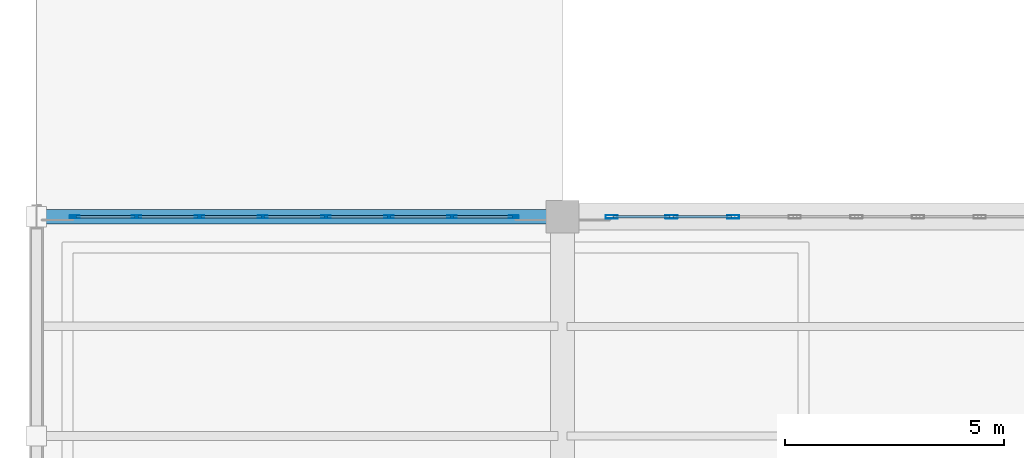
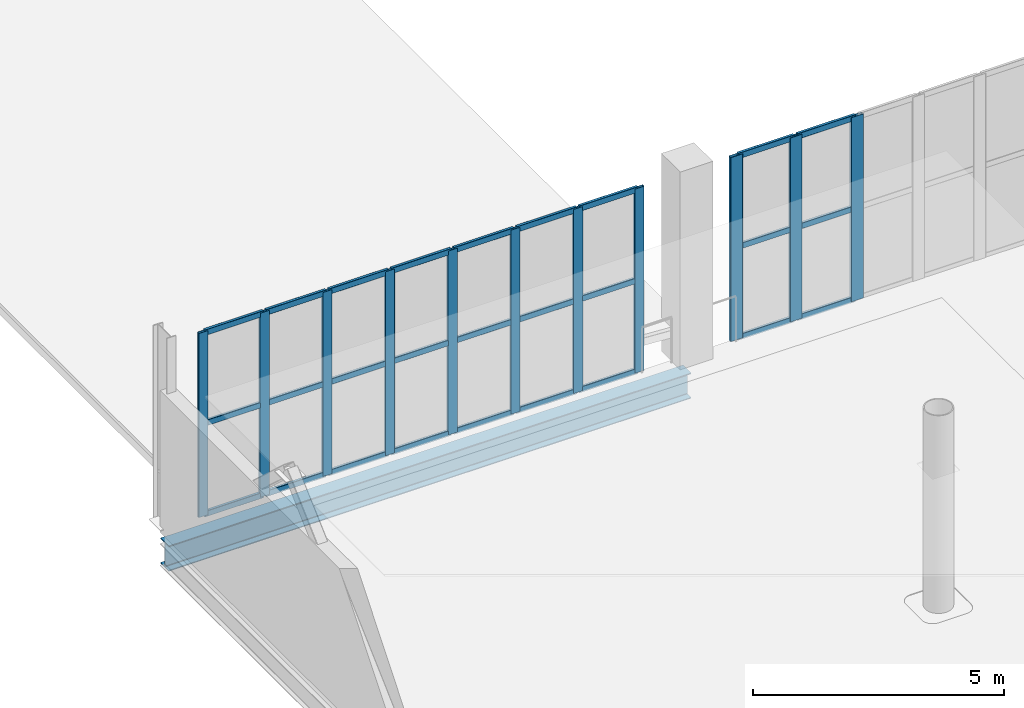
# One storey, part 27 of 136: 38 members, 1 beam, 2 elements without a shape of their own.
"""IFC4 building model written with IfcOpenShell, lengths in metres."""

from ifc_helpers import new_model, si_unit, direction, frame, origin, origin_2d, place, context, subcontext, project, spatial, hollow_rectangle, i_section, extrude, material, layer, layer_set, material_profile, profile_set, type_object, element, aggregate, save


model = new_model("IFC4")

# Units and contexts
model_context = context("Model", 3, precision=1e-05, world=origin(), true_north=direction((0.0, 1.0)))
body_context = subcontext(model_context, "Body", "Model", "MODEL_VIEW")
ifc_project = project(units=[si_unit("LENGTHUNIT", "METRE"), si_unit("AREAUNIT", "SQUARE_METRE"), si_unit("VOLUMEUNIT", "CUBIC_METRE"), si_unit("PLANEANGLEUNIT", "RADIAN"), si_unit("MASSUNIT", "GRAM", prefix="KILO")], contexts=[model_context])

# Site, building, storey
site_placement = place(None, origin())
site = spatial("IfcSite", under=ifc_project, at=site_placement, CompositionType="ELEMENT")
building_placement = place(site_placement, origin())
building = spatial("IfcBuilding", under=site, at=building_placement, Name="Brinegate Civic Arena", CompositionType="ELEMENT")
storey_placement = place(building_placement, frame((0.0, 0.0, 5.39990234375)))
storey = spatial("IfcBuildingStorey", under=building, at=storey_placement, Name="L01", CompositionType="ELEMENT", Elevation=5.39990234375)

# Curtain wall, members
ifc_material_1 = material(Name="Marine grade aluminium", Category="aluminium")
ifc_layer = layer(ifc_material_1, 0.18505859375, Name="Marine grade aluminium")
ifc_layer_set = layer_set([ifc_layer], Name="Marine grade aluminium")
curtain_wall_type = type_object("IfcCurtainWallType", Name="CW-WING-GLAZED-03", PredefinedType="USERDEFINED", material=ifc_layer_set)
curtain_wall_1_placement = place(storey_placement, origin())
curtain_wall_1 = element("IfcCurtainWall", 1, at=curtain_wall_1_placement, inside=storey, type_object=curtain_wall_type, Name="Curtain Wall CWA-063", ObjectType="GLAZED CURTAIN WALL", PredefinedType="USERDEFINED")
ifc_material_profile_1 = material_profile(ifc_material_1, hollow_rectangle(XDim=0.06494140625, YDim=0.219970703125, WallThickness=0.006103515625, InnerFilletRadius=0.00390625, OuterFilletRadius=0.008056640625, at=origin_2d()), Name="MUL65X220")
ifc_profile_set_1 = profile_set([ifc_material_profile_1], Name="Marine grade aluminium")
member_type_1 = type_object("IfcMemberType", Name="CW-MULLION-65X220", PredefinedType="MULLION", material=ifc_profile_set_1)
member_1_placement = place(storey_placement, frame((0.87451171875, 52.0, 0.0), z_axis=(0.0, 0.0, 1.0), x_axis=(0.0, 1.0, 0.0)))
member_1 = element("IfcMember", 2, at=member_1_placement, type_object=member_type_1, Name="CWA-063 mullion 1", PredefinedType="MULLION", context=body_context, shape_type="SweptSolid", body=[
    extrude(hollow_rectangle(XDim=0.06494140625, YDim=0.219970703125, WallThickness=0.006103515625, InnerFilletRadius=0.00390625, OuterFilletRadius=0.008056640625, at=origin_2d()), origin(), (0.0, 0.0, 1.0), 4.47021484375),
])
member_2_placement = place(storey_placement, frame((2.28173828125, 52.0, 0.0), z_axis=(0.0, 0.0, 1.0), x_axis=(0.0, 1.0, 0.0)))
member_2 = element("IfcMember", 3, at=member_2_placement, type_object=member_type_1, Name="CWA-063 mullion 2", PredefinedType="MULLION", context=body_context, shape_type="SweptSolid", body=[
    extrude(hollow_rectangle(XDim=0.06494140625, YDim=0.219970703125, WallThickness=0.006103515625, InnerFilletRadius=0.00390625, OuterFilletRadius=0.008056640625, at=origin_2d()), origin(), (0.0, 0.0, 1.0), 4.47021484375),
])
member_3_placement = place(storey_placement, frame((3.721435546875, 52.0, 0.0), z_axis=(0.0, 0.0, 1.0), x_axis=(0.0, 1.0, 0.0)))
member_3 = element("IfcMember", 4, at=member_3_placement, type_object=member_type_1, Name="CWA-063 mullion 3", PredefinedType="MULLION", context=body_context, shape_type="SweptSolid", body=[
    extrude(hollow_rectangle(XDim=0.06494140625, YDim=0.219970703125, WallThickness=0.006103515625, InnerFilletRadius=0.00390625, OuterFilletRadius=0.008056640625, at=origin_2d()), origin(), (0.0, 0.0, 1.0), 4.47021484375),
])
member_4_placement = place(storey_placement, frame((5.1611328125, 52.0, 0.0), z_axis=(0.0, 0.0, 1.0), x_axis=(0.0, 1.0, 0.0)))
member_4 = element("IfcMember", 5, at=member_4_placement, type_object=member_type_1, Name="CWA-063 mullion 4", PredefinedType="MULLION", context=body_context, shape_type="SweptSolid", body=[
    extrude(hollow_rectangle(XDim=0.06494140625, YDim=0.219970703125, WallThickness=0.006103515625, InnerFilletRadius=0.00390625, OuterFilletRadius=0.008056640625, at=origin_2d()), origin(), (0.0, 0.0, 1.0), 4.47021484375),
])
member_5_placement = place(storey_placement, frame((6.600830078125, 52.0, 0.0), z_axis=(0.0, 0.0, 1.0), x_axis=(0.0, 1.0, 0.0)))
member_5 = element("IfcMember", 6, at=member_5_placement, type_object=member_type_1, Name="CWA-063 mullion 5", PredefinedType="MULLION", context=body_context, shape_type="SweptSolid", body=[
    extrude(hollow_rectangle(XDim=0.06494140625, YDim=0.219970703125, WallThickness=0.006103515625, InnerFilletRadius=0.00390625, OuterFilletRadius=0.008056640625, at=origin_2d()), origin(), (0.0, 0.0, 1.0), 4.47021484375),
])
member_6_placement = place(storey_placement, frame((8.04052734375, 52.0, 0.0), z_axis=(0.0, 0.0, 1.0), x_axis=(0.0, 1.0, 0.0)))
member_6 = element("IfcMember", 7, at=member_6_placement, type_object=member_type_1, Name="CWA-063 mullion 6", PredefinedType="MULLION", context=body_context, shape_type="SweptSolid", body=[
    extrude(hollow_rectangle(XDim=0.06494140625, YDim=0.219970703125, WallThickness=0.006103515625, InnerFilletRadius=0.00390625, OuterFilletRadius=0.008056640625, at=origin_2d()), origin(), (0.0, 0.0, 1.0), 4.47021484375),
])
member_7_placement = place(storey_placement, frame((9.480224609375, 52.0, 0.0), z_axis=(0.0, 0.0, 1.0), x_axis=(0.0, 1.0, 0.0)))
member_7 = element("IfcMember", 8, at=member_7_placement, type_object=member_type_1, Name="CWA-063 mullion 7", PredefinedType="MULLION", context=body_context, shape_type="SweptSolid", body=[
    extrude(hollow_rectangle(XDim=0.06494140625, YDim=0.219970703125, WallThickness=0.006103515625, InnerFilletRadius=0.00390625, OuterFilletRadius=0.008056640625, at=origin_2d()), origin(), (0.0, 0.0, 1.0), 4.47021484375),
])
member_8_placement = place(storey_placement, frame((10.887451171875, 52.0, 0.0), z_axis=(0.0, 0.0, 1.0), x_axis=(0.0, 1.0, 0.0)))
member_8 = element("IfcMember", 9, at=member_8_placement, type_object=member_type_1, Name="CWA-063 mullion 8", PredefinedType="MULLION", context=body_context, shape_type="SweptSolid", body=[
    extrude(hollow_rectangle(XDim=0.06494140625, YDim=0.219970703125, WallThickness=0.006103515625, InnerFilletRadius=0.00390625, OuterFilletRadius=0.008056640625, at=origin_2d()), origin(), (0.0, 0.0, 1.0), 4.47021484375),
])

curtain_wall_2_placement = place(storey_placement, origin())
curtain_wall_2 = element("IfcCurtainWall", 10, at=curtain_wall_2_placement, inside=storey, type_object=curtain_wall_type, Name="Curtain Wall CWA-015", ObjectType="GLAZED CURTAIN WALL", PredefinedType="USERDEFINED")
ifc_material_profile_2 = material_profile(ifc_material_1, hollow_rectangle(XDim=0.080078125, YDim=0.280029296875, WallThickness=0.007080078125, InnerFilletRadius=0.0048828125, OuterFilletRadius=0.010009765625, at=origin_2d()), Name="MUL80X280")
ifc_profile_set_2 = profile_set([ifc_material_profile_2], Name="Marine grade aluminium")
member_type_2 = type_object("IfcMemberType", Name="CW-MULLION-80X280", PredefinedType="MULLION", material=ifc_profile_set_2)
member_9_placement = place(storey_placement, frame((13.1201171875, 52.0, 0.0), z_axis=(0.0, 0.0, 1.0), x_axis=(0.0, 1.0, 0.0)))
member_9 = element("IfcMember", 11, at=member_9_placement, type_object=member_type_2, Name="CWA-015 mullion 1", PredefinedType="MULLION", context=body_context, shape_type="SweptSolid", body=[
    extrude(hollow_rectangle(XDim=0.080078125, YDim=0.280029296875, WallThickness=0.007080078125, InnerFilletRadius=0.0048828125, OuterFilletRadius=0.010009765625, at=origin_2d()), origin(), (0.0, 0.0, 1.0), 4.47021484375),
])
member_10_placement = place(storey_placement, frame((14.485595703125, 52.0, 0.0), z_axis=(0.0, 0.0, 1.0), x_axis=(0.0, 1.0, 0.0)))
member_10 = element("IfcMember", 12, at=member_10_placement, type_object=member_type_2, Name="CWA-015 mullion 2", PredefinedType="MULLION", context=body_context, shape_type="SweptSolid", body=[
    extrude(hollow_rectangle(XDim=0.080078125, YDim=0.280029296875, WallThickness=0.007080078125, InnerFilletRadius=0.0048828125, OuterFilletRadius=0.010009765625, at=origin_2d()), origin(), (0.0, 0.0, 1.0), 4.47021484375),
])
member_11_placement = place(storey_placement, frame((15.891357421875, 52.0, 0.0), z_axis=(0.0, 0.0, 1.0), x_axis=(0.0, 1.0, 0.0)))
member_11 = element("IfcMember", 13, at=member_11_placement, type_object=member_type_2, Name="CWA-015 mullion 3", PredefinedType="MULLION", context=body_context, shape_type="SweptSolid", body=[
    extrude(hollow_rectangle(XDim=0.080078125, YDim=0.280029296875, WallThickness=0.007080078125, InnerFilletRadius=0.0048828125, OuterFilletRadius=0.010009765625, at=origin_2d()), origin(), (0.0, 0.0, 1.0), 4.47021484375),
])
ifc_material_profile_3 = material_profile(ifc_material_1, hollow_rectangle(XDim=0.06494140625, YDim=0.139892578125, WallThickness=0.0048828125, InnerFilletRadius=0.00390625, OuterFilletRadius=0.008056640625, at=origin_2d()), Name="TRN65X140")
ifc_profile_set_3 = profile_set([ifc_material_profile_3], Name="Marine grade aluminium")
member_type_3 = type_object("IfcMemberType", Name="CW-TRANSOM-65X140", PredefinedType="USERDEFINED", material=ifc_profile_set_3)
member_12_placement = place(storey_placement, frame((13.159912109375, 52.0, 0.03271484375), z_axis=(1.0, 0.0, 0.0), x_axis=(0.0, 1.0, 0.0)))
member_12 = element("IfcMember", 14, at=member_12_placement, type_object=member_type_3, Name="CWA-015 transom 1.1", ObjectType="TRANSOM", PredefinedType="USERDEFINED", context=body_context, shape_type="SweptSolid", body=[
    extrude(hollow_rectangle(XDim=0.06494140625, YDim=0.139892578125, WallThickness=0.0048828125, InnerFilletRadius=0.00390625, OuterFilletRadius=0.008056640625, at=origin_2d()), origin(), (0.0, 0.0, 1.0), 1.285888671875),
])
member_13_placement = place(storey_placement, frame((13.159912109375, 52.0, 2.235107421875), z_axis=(1.0, 0.0, 0.0), x_axis=(0.0, 1.0, 0.0)))
member_13 = element("IfcMember", 15, at=member_13_placement, type_object=member_type_3, Name="CWA-015 transom 1.2", ObjectType="TRANSOM", PredefinedType="USERDEFINED", context=body_context, shape_type="SweptSolid", body=[
    extrude(hollow_rectangle(XDim=0.06494140625, YDim=0.139892578125, WallThickness=0.0048828125, InnerFilletRadius=0.00390625, OuterFilletRadius=0.008056640625, at=origin_2d()), origin(), (0.0, 0.0, 1.0), 1.285888671875),
])
member_14_placement = place(storey_placement, frame((13.159912109375, 52.0, 4.4375), z_axis=(1.0, 0.0, 0.0), x_axis=(0.0, 1.0, 0.0)))
member_14 = element("IfcMember", 16, at=member_14_placement, type_object=member_type_3, Name="CWA-015 transom 1.3", ObjectType="TRANSOM", PredefinedType="USERDEFINED", context=body_context, shape_type="SweptSolid", body=[
    extrude(hollow_rectangle(XDim=0.06494140625, YDim=0.139892578125, WallThickness=0.0048828125, InnerFilletRadius=0.00390625, OuterFilletRadius=0.008056640625, at=origin_2d()), origin(), (0.0, 0.0, 1.0), 1.285888671875),
])
member_15_placement = place(storey_placement, frame((14.525634765625, 52.0, 0.03271484375), z_axis=(1.0, 0.0, 0.0), x_axis=(0.0, 1.0, 0.0)))
member_15 = element("IfcMember", 17, at=member_15_placement, type_object=member_type_3, Name="CWA-015 transom 2.1", ObjectType="TRANSOM", PredefinedType="USERDEFINED", context=body_context, shape_type="SweptSolid", body=[
    extrude(hollow_rectangle(XDim=0.06494140625, YDim=0.139892578125, WallThickness=0.0048828125, InnerFilletRadius=0.00390625, OuterFilletRadius=0.008056640625, at=origin_2d()), origin(), (0.0, 0.0, 1.0), 1.32568359375),
])
member_16_placement = place(storey_placement, frame((14.525634765625, 52.0, 2.235107421875), z_axis=(1.0, 0.0, 0.0), x_axis=(0.0, 1.0, 0.0)))
member_16 = element("IfcMember", 18, at=member_16_placement, type_object=member_type_3, Name="CWA-015 transom 2.2", ObjectType="TRANSOM", PredefinedType="USERDEFINED", context=body_context, shape_type="SweptSolid", body=[
    extrude(hollow_rectangle(XDim=0.06494140625, YDim=0.139892578125, WallThickness=0.0048828125, InnerFilletRadius=0.00390625, OuterFilletRadius=0.008056640625, at=origin_2d()), origin(), (0.0, 0.0, 1.0), 1.32568359375),
])
member_17_placement = place(storey_placement, frame((14.525634765625, 52.0, 4.4375), z_axis=(1.0, 0.0, 0.0), x_axis=(0.0, 1.0, 0.0)))
member_17 = element("IfcMember", 19, at=member_17_placement, type_object=member_type_3, Name="CWA-015 transom 2.3", ObjectType="TRANSOM", PredefinedType="USERDEFINED", context=body_context, shape_type="SweptSolid", body=[
    extrude(hollow_rectangle(XDim=0.06494140625, YDim=0.139892578125, WallThickness=0.0048828125, InnerFilletRadius=0.00390625, OuterFilletRadius=0.008056640625, at=origin_2d()), origin(), (0.0, 0.0, 1.0), 1.32568359375),
])
aggregate(curtain_wall_2, [member_9, member_10, member_11, member_12, member_13, member_14, member_15, member_16, member_17])

# Member
member_18_placement = place(storey_placement, frame((0.906982421875, 52.0, 0.03271484375), z_axis=(1.0, 0.0, 0.0), x_axis=(0.0, 1.0, 0.0)))
member_18 = element("IfcMember", 20, at=member_18_placement, type_object=member_type_3, Name="CWA-063 transom 1.1", ObjectType="TRANSOM", PredefinedType="USERDEFINED", context=body_context, shape_type="SweptSolid", body=[
    extrude(hollow_rectangle(XDim=0.06494140625, YDim=0.139892578125, WallThickness=0.0048828125, InnerFilletRadius=0.00390625, OuterFilletRadius=0.008056640625, at=origin_2d()), origin(), (0.0, 0.0, 1.0), 1.34228515625),
])

member_19_placement = place(storey_placement, frame((0.906982421875, 52.0, 2.235107421875), z_axis=(1.0, 0.0, 0.0), x_axis=(0.0, 1.0, 0.0)))
member_19 = element("IfcMember", 21, at=member_19_placement, type_object=member_type_3, Name="CWA-063 transom 1.2", ObjectType="TRANSOM", PredefinedType="USERDEFINED", context=body_context, shape_type="SweptSolid", body=[
    extrude(hollow_rectangle(XDim=0.06494140625, YDim=0.139892578125, WallThickness=0.0048828125, InnerFilletRadius=0.00390625, OuterFilletRadius=0.008056640625, at=origin_2d()), origin(), (0.0, 0.0, 1.0), 1.34228515625),
])

member_20_placement = place(storey_placement, frame((0.906982421875, 52.0, 4.4375), z_axis=(1.0, 0.0, 0.0), x_axis=(0.0, 1.0, 0.0)))
member_20 = element("IfcMember", 22, at=member_20_placement, type_object=member_type_3, Name="CWA-063 transom 1.3", ObjectType="TRANSOM", PredefinedType="USERDEFINED", context=body_context, shape_type="SweptSolid", body=[
    extrude(hollow_rectangle(XDim=0.06494140625, YDim=0.139892578125, WallThickness=0.0048828125, InnerFilletRadius=0.00390625, OuterFilletRadius=0.008056640625, at=origin_2d()), origin(), (0.0, 0.0, 1.0), 1.34228515625),
])

member_21_placement = place(storey_placement, frame((2.314208984375, 52.0, 0.03271484375), z_axis=(1.0, 0.0, 0.0), x_axis=(0.0, 1.0, 0.0)))
member_21 = element("IfcMember", 23, at=member_21_placement, type_object=member_type_3, Name="CWA-063 transom 2.1", ObjectType="TRANSOM", PredefinedType="USERDEFINED", context=body_context, shape_type="SweptSolid", body=[
    extrude(hollow_rectangle(XDim=0.06494140625, YDim=0.139892578125, WallThickness=0.0048828125, InnerFilletRadius=0.00390625, OuterFilletRadius=0.008056640625, at=origin_2d()), origin(), (0.0, 0.0, 1.0), 1.374755859375),
])

member_22_placement = place(storey_placement, frame((2.314208984375, 52.0, 2.235107421875), z_axis=(1.0, 0.0, 0.0), x_axis=(0.0, 1.0, 0.0)))
member_22 = element("IfcMember", 24, at=member_22_placement, type_object=member_type_3, Name="CWA-063 transom 2.2", ObjectType="TRANSOM", PredefinedType="USERDEFINED", context=body_context, shape_type="SweptSolid", body=[
    extrude(hollow_rectangle(XDim=0.06494140625, YDim=0.139892578125, WallThickness=0.0048828125, InnerFilletRadius=0.00390625, OuterFilletRadius=0.008056640625, at=origin_2d()), origin(), (0.0, 0.0, 1.0), 1.374755859375),
])

member_23_placement = place(storey_placement, frame((2.314208984375, 52.0, 4.4375), z_axis=(1.0, 0.0, 0.0), x_axis=(0.0, 1.0, 0.0)))
member_23 = element("IfcMember", 25, at=member_23_placement, type_object=member_type_3, Name="CWA-063 transom 2.3", ObjectType="TRANSOM", PredefinedType="USERDEFINED", context=body_context, shape_type="SweptSolid", body=[
    extrude(hollow_rectangle(XDim=0.06494140625, YDim=0.139892578125, WallThickness=0.0048828125, InnerFilletRadius=0.00390625, OuterFilletRadius=0.008056640625, at=origin_2d()), origin(), (0.0, 0.0, 1.0), 1.374755859375),
])

member_24_placement = place(storey_placement, frame((3.75390625, 52.0, 0.03271484375), z_axis=(1.0, 0.0, 0.0), x_axis=(0.0, 1.0, 0.0)))
member_24 = element("IfcMember", 26, at=member_24_placement, type_object=member_type_3, Name="CWA-063 transom 3.1", ObjectType="TRANSOM", PredefinedType="USERDEFINED", context=body_context, shape_type="SweptSolid", body=[
    extrude(hollow_rectangle(XDim=0.06494140625, YDim=0.139892578125, WallThickness=0.0048828125, InnerFilletRadius=0.00390625, OuterFilletRadius=0.008056640625, at=origin_2d()), origin(), (0.0, 0.0, 1.0), 1.374755859375),
])

member_25_placement = place(storey_placement, frame((3.75390625, 52.0, 2.235107421875), z_axis=(1.0, 0.0, 0.0), x_axis=(0.0, 1.0, 0.0)))
member_25 = element("IfcMember", 27, at=member_25_placement, type_object=member_type_3, Name="CWA-063 transom 3.2", ObjectType="TRANSOM", PredefinedType="USERDEFINED", context=body_context, shape_type="SweptSolid", body=[
    extrude(hollow_rectangle(XDim=0.06494140625, YDim=0.139892578125, WallThickness=0.0048828125, InnerFilletRadius=0.00390625, OuterFilletRadius=0.008056640625, at=origin_2d()), origin(), (0.0, 0.0, 1.0), 1.374755859375),
])

member_26_placement = place(storey_placement, frame((3.75390625, 52.0, 4.4375), z_axis=(1.0, 0.0, 0.0), x_axis=(0.0, 1.0, 0.0)))
member_26 = element("IfcMember", 28, at=member_26_placement, type_object=member_type_3, Name="CWA-063 transom 3.3", ObjectType="TRANSOM", PredefinedType="USERDEFINED", context=body_context, shape_type="SweptSolid", body=[
    extrude(hollow_rectangle(XDim=0.06494140625, YDim=0.139892578125, WallThickness=0.0048828125, InnerFilletRadius=0.00390625, OuterFilletRadius=0.008056640625, at=origin_2d()), origin(), (0.0, 0.0, 1.0), 1.374755859375),
])

member_27_placement = place(storey_placement, frame((5.193603515625, 52.0, 0.03271484375), z_axis=(1.0, 0.0, 0.0), x_axis=(0.0, 1.0, 0.0)))
member_27 = element("IfcMember", 29, at=member_27_placement, type_object=member_type_3, Name="CWA-063 transom 4.1", ObjectType="TRANSOM", PredefinedType="USERDEFINED", context=body_context, shape_type="SweptSolid", body=[
    extrude(hollow_rectangle(XDim=0.06494140625, YDim=0.139892578125, WallThickness=0.0048828125, InnerFilletRadius=0.00390625, OuterFilletRadius=0.008056640625, at=origin_2d()), origin(), (0.0, 0.0, 1.0), 1.374755859375),
])

member_28_placement = place(storey_placement, frame((5.193603515625, 52.0, 2.235107421875), z_axis=(1.0, 0.0, 0.0), x_axis=(0.0, 1.0, 0.0)))
member_28 = element("IfcMember", 30, at=member_28_placement, type_object=member_type_3, Name="CWA-063 transom 4.2", ObjectType="TRANSOM", PredefinedType="USERDEFINED", context=body_context, shape_type="SweptSolid", body=[
    extrude(hollow_rectangle(XDim=0.06494140625, YDim=0.139892578125, WallThickness=0.0048828125, InnerFilletRadius=0.00390625, OuterFilletRadius=0.008056640625, at=origin_2d()), origin(), (0.0, 0.0, 1.0), 1.374755859375),
])

member_29_placement = place(storey_placement, frame((5.193603515625, 52.0, 4.4375), z_axis=(1.0, 0.0, 0.0), x_axis=(0.0, 1.0, 0.0)))
member_29 = element("IfcMember", 31, at=member_29_placement, type_object=member_type_3, Name="CWA-063 transom 4.3", ObjectType="TRANSOM", PredefinedType="USERDEFINED", context=body_context, shape_type="SweptSolid", body=[
    extrude(hollow_rectangle(XDim=0.06494140625, YDim=0.139892578125, WallThickness=0.0048828125, InnerFilletRadius=0.00390625, OuterFilletRadius=0.008056640625, at=origin_2d()), origin(), (0.0, 0.0, 1.0), 1.374755859375),
])

member_30_placement = place(storey_placement, frame((6.63330078125, 52.0, 0.03271484375), z_axis=(1.0, 0.0, 0.0), x_axis=(0.0, 1.0, 0.0)))
member_30 = element("IfcMember", 32, at=member_30_placement, type_object=member_type_3, Name="CWA-063 transom 5.1", ObjectType="TRANSOM", PredefinedType="USERDEFINED", context=body_context, shape_type="SweptSolid", body=[
    extrude(hollow_rectangle(XDim=0.06494140625, YDim=0.139892578125, WallThickness=0.0048828125, InnerFilletRadius=0.00390625, OuterFilletRadius=0.008056640625, at=origin_2d()), origin(), (0.0, 0.0, 1.0), 1.374755859375),
])

member_31_placement = place(storey_placement, frame((6.63330078125, 52.0, 2.235107421875), z_axis=(1.0, 0.0, 0.0), x_axis=(0.0, 1.0, 0.0)))
member_31 = element("IfcMember", 33, at=member_31_placement, type_object=member_type_3, Name="CWA-063 transom 5.2", ObjectType="TRANSOM", PredefinedType="USERDEFINED", context=body_context, shape_type="SweptSolid", body=[
    extrude(hollow_rectangle(XDim=0.06494140625, YDim=0.139892578125, WallThickness=0.0048828125, InnerFilletRadius=0.00390625, OuterFilletRadius=0.008056640625, at=origin_2d()), origin(), (0.0, 0.0, 1.0), 1.374755859375),
])

member_32_placement = place(storey_placement, frame((6.63330078125, 52.0, 4.4375), z_axis=(1.0, 0.0, 0.0), x_axis=(0.0, 1.0, 0.0)))
member_32 = element("IfcMember", 34, at=member_32_placement, type_object=member_type_3, Name="CWA-063 transom 5.3", ObjectType="TRANSOM", PredefinedType="USERDEFINED", context=body_context, shape_type="SweptSolid", body=[
    extrude(hollow_rectangle(XDim=0.06494140625, YDim=0.139892578125, WallThickness=0.0048828125, InnerFilletRadius=0.00390625, OuterFilletRadius=0.008056640625, at=origin_2d()), origin(), (0.0, 0.0, 1.0), 1.374755859375),
])

member_33_placement = place(storey_placement, frame((8.072998046875, 52.0, 0.03271484375), z_axis=(1.0, 0.0, 0.0), x_axis=(0.0, 1.0, 0.0)))
member_33 = element("IfcMember", 35, at=member_33_placement, type_object=member_type_3, Name="CWA-063 transom 6.1", ObjectType="TRANSOM", PredefinedType="USERDEFINED", context=body_context, shape_type="SweptSolid", body=[
    extrude(hollow_rectangle(XDim=0.06494140625, YDim=0.139892578125, WallThickness=0.0048828125, InnerFilletRadius=0.00390625, OuterFilletRadius=0.008056640625, at=origin_2d()), origin(), (0.0, 0.0, 1.0), 1.374755859375),
])

member_34_placement = place(storey_placement, frame((8.072998046875, 52.0, 2.235107421875), z_axis=(1.0, 0.0, 0.0), x_axis=(0.0, 1.0, 0.0)))
member_34 = element("IfcMember", 36, at=member_34_placement, type_object=member_type_3, Name="CWA-063 transom 6.2", ObjectType="TRANSOM", PredefinedType="USERDEFINED", context=body_context, shape_type="SweptSolid", body=[
    extrude(hollow_rectangle(XDim=0.06494140625, YDim=0.139892578125, WallThickness=0.0048828125, InnerFilletRadius=0.00390625, OuterFilletRadius=0.008056640625, at=origin_2d()), origin(), (0.0, 0.0, 1.0), 1.374755859375),
])

member_35_placement = place(storey_placement, frame((8.072998046875, 52.0, 4.4375), z_axis=(1.0, 0.0, 0.0), x_axis=(0.0, 1.0, 0.0)))
member_35 = element("IfcMember", 37, at=member_35_placement, type_object=member_type_3, Name="CWA-063 transom 6.3", ObjectType="TRANSOM", PredefinedType="USERDEFINED", context=body_context, shape_type="SweptSolid", body=[
    extrude(hollow_rectangle(XDim=0.06494140625, YDim=0.139892578125, WallThickness=0.0048828125, InnerFilletRadius=0.00390625, OuterFilletRadius=0.008056640625, at=origin_2d()), origin(), (0.0, 0.0, 1.0), 1.374755859375),
])

member_36_placement = place(storey_placement, frame((9.5126953125, 52.0, 0.03271484375), z_axis=(1.0, 0.0, 0.0), x_axis=(0.0, 1.0, 0.0)))
member_36 = element("IfcMember", 38, at=member_36_placement, type_object=member_type_3, Name="CWA-063 transom 7.1", ObjectType="TRANSOM", PredefinedType="USERDEFINED", context=body_context, shape_type="SweptSolid", body=[
    extrude(hollow_rectangle(XDim=0.06494140625, YDim=0.139892578125, WallThickness=0.0048828125, InnerFilletRadius=0.00390625, OuterFilletRadius=0.008056640625, at=origin_2d()), origin(), (0.0, 0.0, 1.0), 1.34228515625),
])

member_37_placement = place(storey_placement, frame((9.5126953125, 52.0, 2.235107421875), z_axis=(1.0, 0.0, 0.0), x_axis=(0.0, 1.0, 0.0)))
member_37 = element("IfcMember", 39, at=member_37_placement, type_object=member_type_3, Name="CWA-063 transom 7.2", ObjectType="TRANSOM", PredefinedType="USERDEFINED", context=body_context, shape_type="SweptSolid", body=[
    extrude(hollow_rectangle(XDim=0.06494140625, YDim=0.139892578125, WallThickness=0.0048828125, InnerFilletRadius=0.00390625, OuterFilletRadius=0.008056640625, at=origin_2d()), origin(), (0.0, 0.0, 1.0), 1.34228515625),
])

member_38_placement = place(storey_placement, frame((9.5126953125, 52.0, 4.4375), z_axis=(1.0, 0.0, 0.0), x_axis=(0.0, 1.0, 0.0)))
member_38 = element("IfcMember", 40, at=member_38_placement, type_object=member_type_3, Name="CWA-063 transom 7.3", ObjectType="TRANSOM", PredefinedType="USERDEFINED", context=body_context, shape_type="SweptSolid", body=[
    extrude(hollow_rectangle(XDim=0.06494140625, YDim=0.139892578125, WallThickness=0.0048828125, InnerFilletRadius=0.00390625, OuterFilletRadius=0.008056640625, at=origin_2d()), origin(), (0.0, 0.0, 1.0), 1.34228515625),
])

aggregate(curtain_wall_1, [member_1, member_2, member_3, member_4, member_5, member_6, member_7, member_8, member_18, member_19, member_20, member_21, member_22, member_23, member_24, member_25, member_26, member_27, member_28, member_29, member_30, member_31, member_32, member_33, member_34, member_35, member_36, member_37, member_38])

# Beam
ifc_material_2 = material(Name="Steel S355", Category="steel")
ifc_material_profile_4 = material_profile(ifc_material_2, i_section(OverallWidth=0.324951171875, OverallDepth=0.615966796875, WebThickness=0.013916015625, FlangeThickness=0.02197265625, FilletRadius=0.01611328125, at=origin_2d()), Name="W610X174")
ifc_profile_set_4 = profile_set([ifc_material_profile_4], Name="Steel S355")
beam_type = type_object("IfcBeamType", Name="GIRDER-W610X174", PredefinedType="BEAM", material=ifc_profile_set_4)
beam_placement = place(storey_placement, frame((0.0, 52.0, -0.64794921875), z_axis=(1.0, 0.0, 0.0), x_axis=(0.0, 1.0, 0.0)))
element("IfcBeam", 41, at=beam_placement, inside=storey, type_object=beam_type, Name="Floor Girder BM-L01-GX-00-05", PredefinedType="BEAM", context=body_context, shape_type="SweptSolid", body=[
    extrude(i_section(OverallWidth=0.324951171875, OverallDepth=0.615966796875, WebThickness=0.013916015625, FlangeThickness=0.02197265625, FilletRadius=0.01611328125, at=origin_2d()), origin(), (0.0, 0.0, 1.0), 12.0),
])

save(model, "model.ifc")
